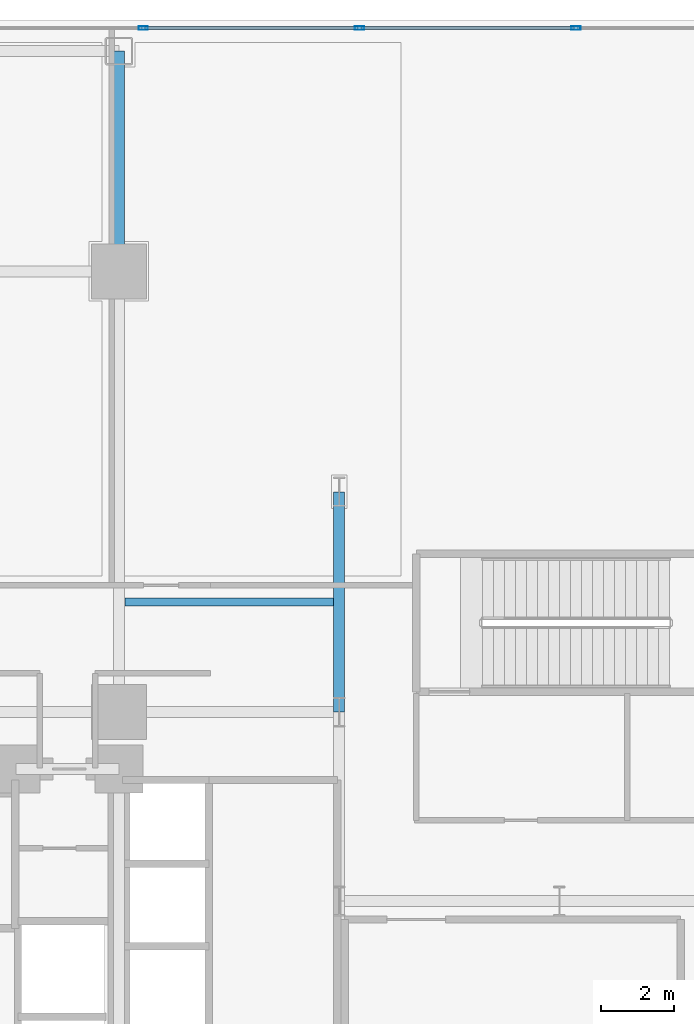
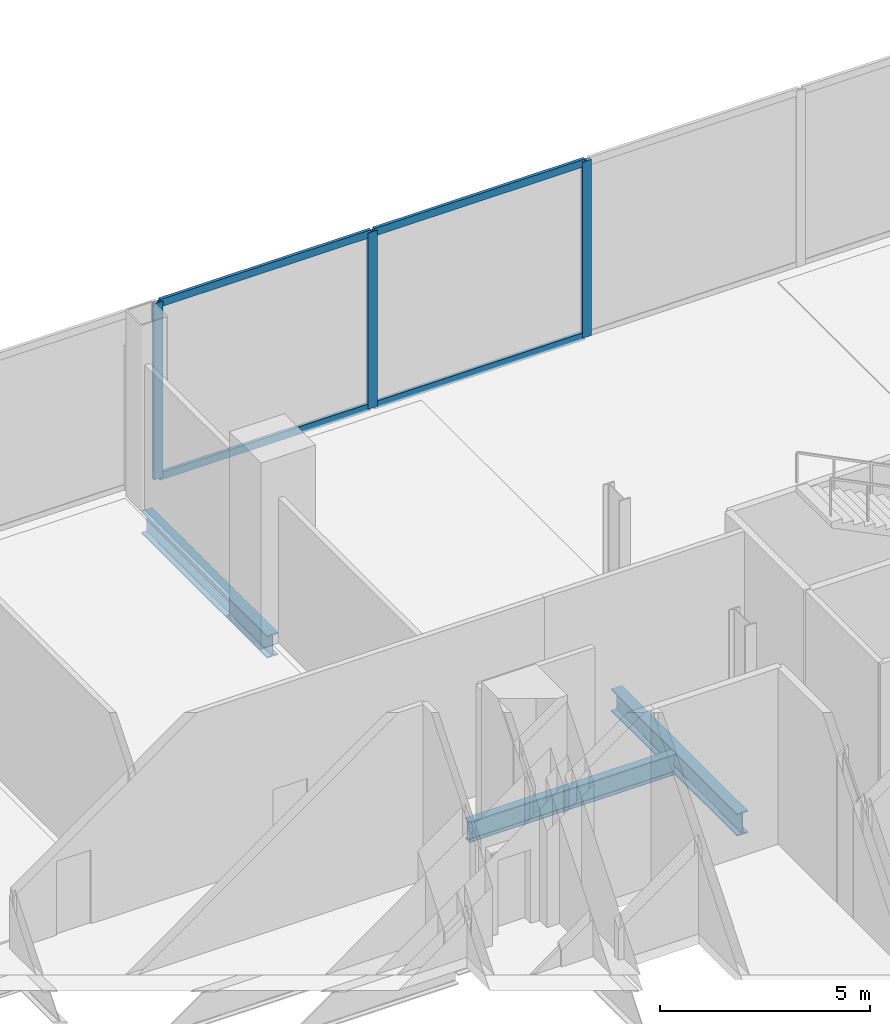
# One storey, part 15 of 27: 7 members, 3 beams, 1 element without a shape of its own.
"""IFC4 building model written with IfcOpenShell, lengths in metres."""

from ifc_helpers import new_model, si_unit, direction, frame, origin, origin_2d, place, context, subcontext, project, spatial, hollow_rectangle, i_section, extrude, material, layer, layer_set, material_profile, profile_set, type_object, element, aggregate, save


model = new_model("IFC4")

# Units and contexts
model_context = context("Model", 3, precision=1e-05, world=origin(), true_north=direction((0.0, 1.0)))
body_context = subcontext(model_context, "Body", "Model", "MODEL_VIEW")
ifc_project = project(units=[si_unit("LENGTHUNIT", "METRE"), si_unit("AREAUNIT", "SQUARE_METRE"), si_unit("VOLUMEUNIT", "CUBIC_METRE"), si_unit("PLANEANGLEUNIT", "RADIAN"), si_unit("MASSUNIT", "GRAM", prefix="KILO"), si_unit("THERMODYNAMICTEMPERATUREUNIT", "KELVIN"), si_unit("POWERUNIT", "WATT")], contexts=[model_context])

# Site, building, storey
site_placement = place(None, origin())
site = spatial("IfcSite", under=ifc_project, at=site_placement, CompositionType="ELEMENT")
building_placement = place(site_placement, origin())
building = spatial("IfcBuilding", under=site, at=building_placement, Name="Svarakhadi Broadcast Tower", CompositionType="ELEMENT")
storey_placement = place(building_placement, frame((0.0, 0.0, 16.5)))
storey = spatial("IfcBuildingStorey", under=building, at=storey_placement, Name="L03", CompositionType="ELEMENT", Elevation=16.5)

# Beam
ifc_material_1 = material(Name="Steel S355J2 (IS 2062 E350C)", Category="steel")
ifc_material_profile_1 = material_profile(ifc_material_1, i_section(OverallWidth=0.219970703125, OverallDepth=0.60009765625, WebThickness=0.011962890625, FlangeThickness=0.01904296875, FilletRadius=0.02392578125, at=origin_2d()), Name="NPB 600x220x122")
ifc_profile_set_1 = profile_set([ifc_material_profile_1], Name="Steel S355J2 (IS 2062 E350C)")
beam_type_1 = type_object("IfcBeamType", Name="Beam_NPB600", PredefinedType="BEAM", material=ifc_profile_set_1)
beam_placement = place(storey_placement, frame((18.159912109375, 32.14990234375, -0.60009765625), z_axis=(1.0, 0.0, 0.0), x_axis=(0.0, 1.0, 0.0)))
element("IfcBeam", 1, at=beam_placement, inside=storey, type_object=beam_type_1, Name="L03 Secondary Composite Beam SB016", PredefinedType="BEAM", context=body_context, shape_type="SweptSolid", body=[
    extrude(i_section(OverallWidth=0.219970703125, OverallDepth=0.60009765625, WebThickness=0.011962890625, FlangeThickness=0.01904296875, FilletRadius=0.02392578125, at=origin_2d()), origin(), (0.0, 0.0, 1.0), 5.68017578125),
])

# Curtain wall, members
ifc_material_2 = material(Name="Anodised Bronze Aluminium AA 6063-T6", Category="aluminium")
ifc_layer = layer(ifc_material_2, 0.25)
ifc_layer_set = layer_set([ifc_layer], Name="Anodised Bronze Aluminium AA 6063-T6")
curtain_wall_type = type_object("IfcCurtainWallType", Name="CW_Sys_01", PredefinedType="NOTDEFINED", material=ifc_layer_set)
curtain_wall_placement = place(storey_placement, origin())
curtain_wall = element("IfcCurtainWall", 2, at=curtain_wall_placement, inside=storey, type_object=curtain_wall_type, Name="L03 Unitised Facade Curtain Wall 05 Bay 2", PredefinedType="NOTDEFINED")
ifc_material_profile_2 = material_profile(ifc_material_2, hollow_rectangle(XDim=0.094970703125, YDim=0.25, WallThickness=0.006103515625, at=origin_2d()), Name="ALU MULLION 250x95x6")
ifc_profile_set_2 = profile_set([ifc_material_profile_2], Name="Anodised Bronze Aluminium AA 6063-T6")
member_type_1 = type_object("IfcMemberType", Name="CW_Sys_01_Mul", PredefinedType="MULLION", material=ifc_profile_set_2)
member_1_placement = place(storey_placement, frame((18.66259765625, 47.780029296875, 0.0), z_axis=(0.0, 0.0, 1.0), x_axis=(0.0, 1.0, 0.0)))
member_1 = element("IfcMember", 3, at=member_1_placement, type_object=member_type_1, Name="CW-01 mullion 2", PredefinedType="MULLION", context=body_context, shape_type="SweptSolid", body=[
    extrude(hollow_rectangle(XDim=0.094970703125, YDim=0.25, WallThickness=0.006103515625, at=origin_2d()), origin(), (0.0, 0.0, 1.0), 5.125),
])
member_2_placement = place(storey_placement, frame((24.554931640625, 47.780029296875, 0.0), z_axis=(0.0, 0.0, 1.0), x_axis=(0.0, 1.0, 0.0)))
member_2 = element("IfcMember", 4, at=member_2_placement, type_object=member_type_1, Name="CW-01 mullion 3", PredefinedType="MULLION", context=body_context, shape_type="SweptSolid", body=[
    extrude(hollow_rectangle(XDim=0.094970703125, YDim=0.25, WallThickness=0.006103515625, at=origin_2d()), origin(), (0.0, 0.0, 1.0), 5.125),
])
member_3_placement = place(storey_placement, frame((30.447509765625, 47.780029296875, 0.0), z_axis=(0.0, 0.0, 1.0), x_axis=(0.0, 1.0, 0.0)))
member_3 = element("IfcMember", 5, at=member_3_placement, type_object=member_type_1, Name="CW-01 mullion 4", PredefinedType="MULLION", context=body_context, shape_type="SweptSolid", body=[
    extrude(hollow_rectangle(XDim=0.094970703125, YDim=0.25, WallThickness=0.006103515625, at=origin_2d()), origin(), (0.0, 0.0, 1.0), 5.125),
])
ifc_material_profile_3 = material_profile(ifc_material_2, hollow_rectangle(XDim=0.0849609375, YDim=0.219970703125, WallThickness=0.0048828125, at=origin_2d()), Name="ALU TRANSOM 220x85x5")
ifc_profile_set_3 = profile_set([ifc_material_profile_3], Name="Anodised Bronze Aluminium AA 6063-T6")
member_type_2 = type_object("IfcMemberType", Name="CW_Sys_01_Trn", PredefinedType="USERDEFINED", material=ifc_profile_set_3)
member_4_placement = place(storey_placement, frame((18.7099609375, 47.780029296875, 0.04248046875), z_axis=(1.0, 0.0, 0.0), x_axis=(0.0, 1.0, 0.0)))
member_4 = element("IfcMember", 6, at=member_4_placement, type_object=member_type_2, Name="CW-01 transom 2.1", ObjectType="TRANSOM", PredefinedType="USERDEFINED", context=body_context, shape_type="SweptSolid", body=[
    extrude(hollow_rectangle(XDim=0.0849609375, YDim=0.219970703125, WallThickness=0.0048828125, at=origin_2d()), origin(), (0.0, 0.0, 1.0), 5.797607421875),
])
member_5_placement = place(storey_placement, frame((18.7099609375, 47.780029296875, 5.08251953125), z_axis=(1.0, 0.0, 0.0), x_axis=(0.0, 1.0, 0.0)))
member_5 = element("IfcMember", 7, at=member_5_placement, type_object=member_type_2, Name="CW-01 transom 2.2", ObjectType="TRANSOM", PredefinedType="USERDEFINED", context=body_context, shape_type="SweptSolid", body=[
    extrude(hollow_rectangle(XDim=0.0849609375, YDim=0.219970703125, WallThickness=0.0048828125, at=origin_2d()), origin(), (0.0, 0.0, 1.0), 5.797607421875),
])
member_6_placement = place(storey_placement, frame((24.6025390625, 47.780029296875, 0.04248046875), z_axis=(1.0, 0.0, 0.0), x_axis=(0.0, 1.0, 0.0)))
member_6 = element("IfcMember", 8, at=member_6_placement, type_object=member_type_2, Name="CW-01 transom 3.1", ObjectType="TRANSOM", PredefinedType="USERDEFINED", context=body_context, shape_type="SweptSolid", body=[
    extrude(hollow_rectangle(XDim=0.0849609375, YDim=0.219970703125, WallThickness=0.0048828125, at=origin_2d()), origin(), (0.0, 0.0, 1.0), 5.79736328125),
])
member_7_placement = place(storey_placement, frame((24.6025390625, 47.780029296875, 5.08251953125), z_axis=(1.0, 0.0, 0.0), x_axis=(0.0, 1.0, 0.0)))
member_7 = element("IfcMember", 9, at=member_7_placement, type_object=member_type_2, Name="CW-01 transom 3.2", ObjectType="TRANSOM", PredefinedType="USERDEFINED", context=body_context, shape_type="SweptSolid", body=[
    extrude(hollow_rectangle(XDim=0.0849609375, YDim=0.219970703125, WallThickness=0.0048828125, at=origin_2d()), origin(), (0.0, 0.0, 1.0), 5.79736328125),
])
aggregate(curtain_wall, [member_1, member_2, member_3, member_4, member_5, member_6, member_7])

# Beams
ifc_material_profile_4 = material_profile(ifc_material_1, i_section(OverallWidth=0.300048828125, OverallDepth=0.64990234375, WebThickness=0.01611328125, FlangeThickness=0.031005859375, FilletRadius=0.027099609375, at=origin_2d()), Name="WPB 650x300x225")
ifc_profile_set_4 = profile_set([ifc_material_profile_4], Name="Steel S355J2 (IS 2062 E350C)")
beam_type_2 = type_object("IfcBeamType", Name="Girder_WPB650", PredefinedType="USERDEFINED", material=ifc_profile_set_4)
for number, where, z_axis, x_axis, name in (
    (10, (18.0, 41.14990234375, -0.625), (0.0, 1.0, 0.0), (-1.0, 0.0, 0.0), "L03 Primary N-S Girder G063"),
    (11, (24.0, 29.14990234375, -0.625), (0.0, 1.0, 0.0), (-1.0, 0.0, 0.0), "L03 Primary N-S Girder G069"),
):
    element("IfcBeam", number, at=place(storey_placement, frame(where, z_axis=z_axis, x_axis=x_axis)), inside=storey, type_object=beam_type_2, Name=name, ObjectType="GIRDER", PredefinedType="USERDEFINED", context=body_context, shape_type="SweptSolid", body=[
        extrude(i_section(OverallWidth=0.300048828125, OverallDepth=0.64990234375, WebThickness=0.01611328125, FlangeThickness=0.031005859375, FilletRadius=0.027099609375, at=origin_2d()), origin(), (0.0, 0.0, 1.0), 6.0),
    ])

save(model, "model.ifc")
